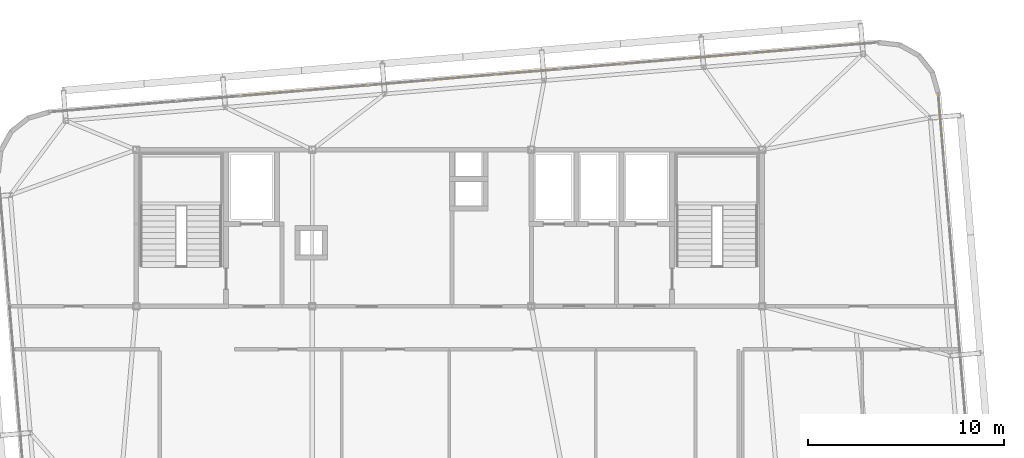
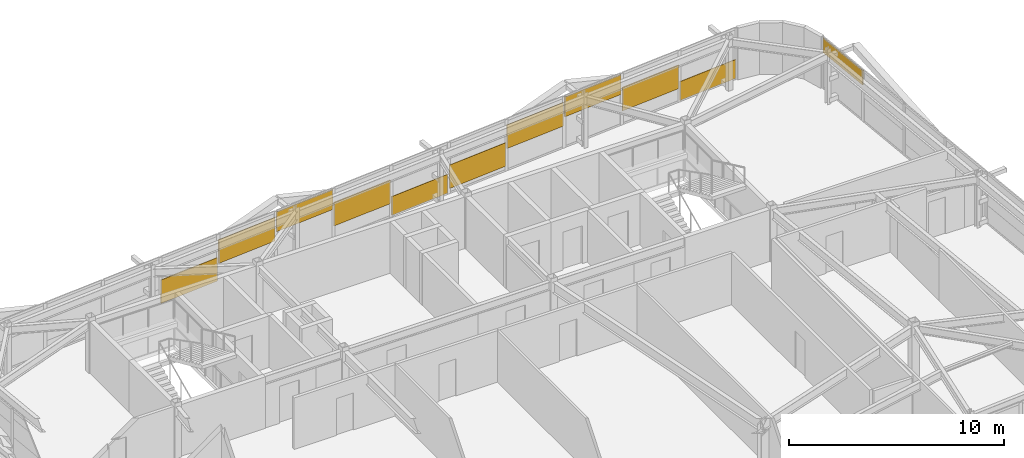
# One storey, part 46 of 46: 11 coverings.
"""IFC4 building model written with IfcOpenShell, lengths in metres."""

from ifc_helpers import new_model, si_unit, direction, frame, origin, origin_2d, place, context, subcontext, project, spatial, rectangle, extrude, source, transform, mapped, material, layer, layer_set, type_object, element, save


model = new_model("IFC4")

# Units and contexts
model_context = context("Model", 3, precision=1e-05, world=origin(), true_north=direction((0.0, 1.0)))
body_context = subcontext(model_context, "Body", "Model", "MODEL_VIEW")
ifc_project = project(units=[si_unit("LENGTHUNIT", "METRE"), si_unit("AREAUNIT", "SQUARE_METRE"), si_unit("VOLUMEUNIT", "CUBIC_METRE"), si_unit("PLANEANGLEUNIT", "RADIAN"), si_unit("MASSUNIT", "GRAM", prefix="KILO")], contexts=[model_context])

# Site, building, storey
site_placement = place(None, origin())
site = spatial("IfcSite", under=ifc_project, at=site_placement, CompositionType="ELEMENT")
building_placement = place(site_placement, origin())
building = spatial("IfcBuilding", under=site, at=building_placement, Name="Taldren Reach Tower", CompositionType="ELEMENT")
storey_placement = place(building_placement, frame((0.0, 0.0, 188.300048828125)))
storey = spatial("IfcBuildingStorey", under=building, at=storey_placement, Name="L57", CompositionType="ELEMENT", Elevation=188.300048828125)

# Coverings
ifc_material = material(Name="Pale Champagne Fluoropolymer Aluminium Spandrel Cladding", Category="aluminium")
ifc_layer = layer(ifc_material, 0.0439453125)
ifc_layer_set = layer_set([ifc_layer], Name="Pale Champagne Fluoropolymer Aluminium Spandrel Cladding")
covering_type = type_object("IfcCoveringType", Name="CV-CLAD-044", PredefinedType="CLADDING", material=ifc_layer_set)
shared_shape_1 = source(origin(), body_context, "Body", "SweptSolid", [
    extrude(rectangle(XDim=3.164306640625, YDim=0.0439453125, at=origin_2d()), origin(), (0.0, 0.0, 1.0), 1.075927734375),
])
covering_1_placement = place(storey_placement, frame((55.2685546875, 37.3427734375, 0.06005859375), z_axis=(0.0, 0.0, 1.0), x_axis=(-0.99649285657, -0.083677875247, 0.0)))
element("IfcCovering", 1, at=covering_1_placement, inside=storey, type_object=covering_type, Name="Diagrid closure cladding strip CW-5 panel 1.1 1", PredefinedType="CLADDING", context=body_context, shape_type="MappedRepresentation", body=[
    mapped(shared_shape_1, transform((0.0, 0.0, 0.0), scale=1.0)),
])
shared_shape_2 = source(origin(), body_context, "Body", "SweptSolid", [
    extrude(rectangle(XDim=3.19921875, YDim=0.0439453125, at=origin_2d()), origin(), (0.0, 0.0, 1.0), 1.3359375),
])
for number, where, z_axis, x_axis, name in (
    (2, (52.0283203125, 37.07080078125, 0.77099609375), (0.0, 0.0, 1.0), (-0.99649285657, -0.083677875247, 0.0), "Diagrid closure cladding strip CW-5 panel 2.1 1"),
    (3, (45.5126953125, 36.523681640625, 1.25048828125), (0.0, 0.0, 1.0), (-0.99649285657, -0.083677875247, 0.0), "Diagrid closure cladding strip CW-5 panel 4.1 1"),
    (4, (42.2548828125, 36.25, 0.279296875), (0.0, 0.0, 1.0), (-0.99649285657, -0.083677875247, 0.0), "Diagrid closure cladding strip CW-5 panel 5.1 1"),
    (5, (35.739501953125, 35.702880859375, 0.76708984375), (0.0, 0.0, 1.0), (-0.99649285657, -0.083677875247, 0.0), "Diagrid closure cladding strip CW-5 panel 7.1 1"),
    (6, (29.223876953125, 35.15576171875, 1.254638671875), (0.0, 0.0, 1.0), (-0.99649285657, -0.083677875247, 0.0), "Diagrid closure cladding strip CW-5 panel 9.1 1"),
    (7, (25.966064453125, 34.88232421875, 0.283447265625), (0.0, 0.0, 1.0), (-0.99649285657, -0.083677875247, 0.0), "Diagrid closure cladding strip CW-5 panel 10.1 1"),
):
    element("IfcCovering", number, at=place(storey_placement, frame(where, z_axis=z_axis, x_axis=x_axis)), inside=storey, type_object=covering_type, Name=name, PredefinedType="CLADDING", context=body_context, shape_type="MappedRepresentation", body=[
        mapped(shared_shape_2, transform((0.0, 0.0, 0.0), scale=1.0)),
    ])
shared_shape_3 = source(origin(), body_context, "Body", "SweptSolid", [
    extrude(rectangle(XDim=3.19921875, YDim=0.0439453125, at=origin_2d()), origin(), (0.0, 0.0, 1.0), 1.127685546875),
])
covering_2_placement = place(storey_placement, frame((48.7705078125, 36.797119140625, 1.7421875), z_axis=(0.0, 0.0, 1.0), x_axis=(-0.99649285657, -0.083677875247, 0.0)))
element("IfcCovering", 8, at=covering_2_placement, inside=storey, type_object=covering_type, Name="Diagrid closure cladding strip CW-5 panel 3.1 1", PredefinedType="CLADDING", context=body_context, shape_type="MappedRepresentation", body=[
    mapped(shared_shape_3, transform((0.0, 0.0, 0.0), scale=1.0)),
])
shared_shape_4 = source(origin(), body_context, "Body", "SweptSolid", [
    extrude(rectangle(XDim=3.19921875, YDim=0.0439453125, at=origin_2d()), origin(), (0.0, 0.0, 1.0), 1.07177734375),
])
covering_3_placement = place(storey_placement, frame((38.9970703125, 35.9765625, 0.06005859375), z_axis=(0.0, 0.0, 1.0), x_axis=(-0.99649285657, -0.083677875247, 0.0)))
element("IfcCovering", 9, at=covering_3_placement, inside=storey, type_object=covering_type, Name="Diagrid closure cladding strip CW-5 panel 6.1 1", PredefinedType="CLADDING", context=body_context, shape_type="MappedRepresentation", body=[
    mapped(shared_shape_4, transform((0.0, 0.0, 0.0), scale=1.0)),
])
shared_shape_5 = source(origin(), body_context, "Body", "SweptSolid", [
    extrude(rectangle(XDim=3.19921875, YDim=0.0439453125, at=origin_2d()), origin(), (0.0, 0.0, 1.0), 1.1318359375),
])
covering_4_placement = place(storey_placement, frame((32.481689453125, 35.429443359375, 1.738037109375), z_axis=(0.0, 0.0, 1.0), x_axis=(-0.99649285657, -0.083677875247, 0.0)))
element("IfcCovering", 10, at=covering_4_placement, inside=storey, type_object=covering_type, Name="Diagrid closure cladding strip CW-5 panel 8.1 1", PredefinedType="CLADDING", context=body_context, shape_type="MappedRepresentation", body=[
    mapped(shared_shape_5, transform((0.0, 0.0, 0.0), scale=1.0)),
])
shared_shape_6 = source(origin(), body_context, "Body", "SweptSolid", [
    extrude(rectangle(XDim=3.2451171875, YDim=0.0439453125, at=origin_2d()), origin(), (0.0, 0.0, 1.0), 0.829833984375),
])
covering_5_placement = place(storey_placement, frame((60.145751953125, 33.183837890625, 2.0400390625), z_axis=(0.0, 0.0, 1.0), x_axis=(-0.083677979808, 0.996492847789, 0.0)))
element("IfcCovering", 11, at=covering_5_placement, inside=storey, type_object=covering_type, Name="Diagrid closure cladding strip CW-5 panel 8.1 1", PredefinedType="CLADDING", context=body_context, shape_type="MappedRepresentation", body=[
    mapped(shared_shape_6, transform((0.0, 0.0, 0.0), scale=1.0)),
])

save(model, "model.ifc")
